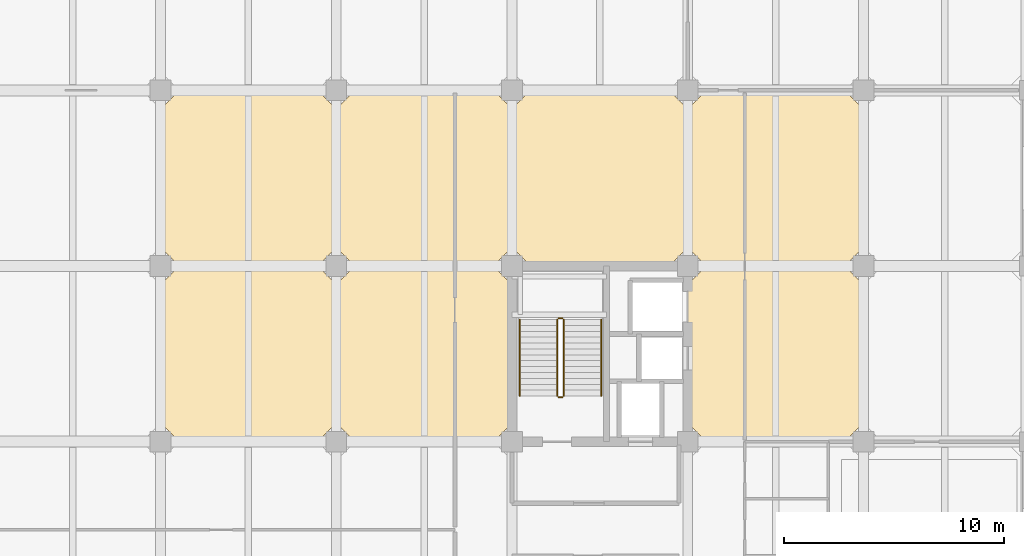
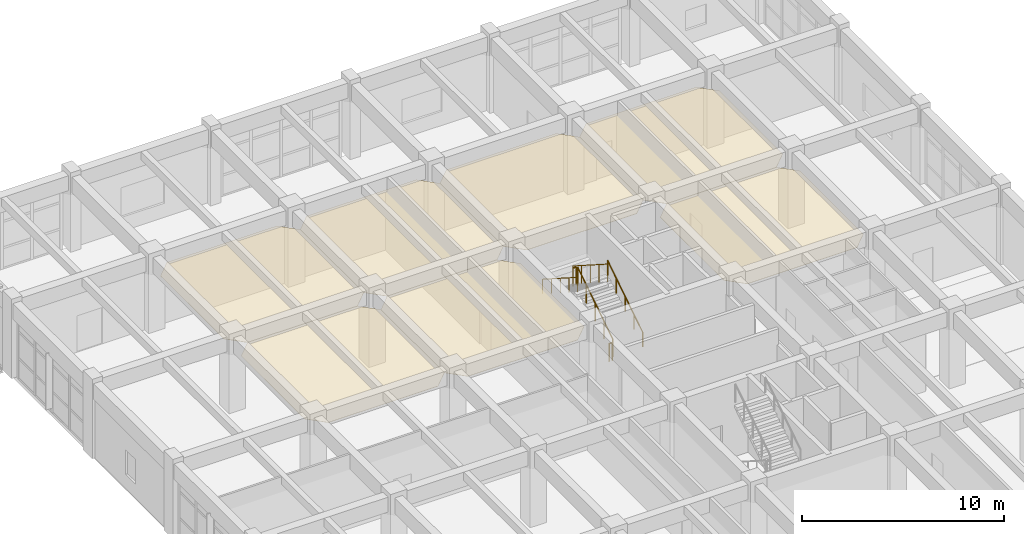
# One storey, part 247 of 248: 7 coverings, 6 railings.
"""IFC4 building model written with IfcOpenShell, lengths in metres."""

from ifc_helpers import new_model, si_unit, direction, frame, origin, origin_2d, place, context, subcontext, project, spatial, polyline, circle, outline, extrude, material, layer, layer_set, type_object, element, save


model = new_model("IFC4")

# Units and contexts
model_context = context("Model", 3, precision=1e-05, world=origin(), true_north=direction((0.0, 1.0)))
body_context = subcontext(model_context, "Body", "Model", "MODEL_VIEW")
ifc_project = project(units=[si_unit("LENGTHUNIT", "METRE"), si_unit("AREAUNIT", "SQUARE_METRE"), si_unit("VOLUMEUNIT", "CUBIC_METRE"), si_unit("PLANEANGLEUNIT", "RADIAN"), si_unit("MASSUNIT", "GRAM", prefix="KILO")], contexts=[model_context])

# Site, building, storey
site_placement = place(None, origin())
site = spatial("IfcSite", under=ifc_project, at=site_placement, CompositionType="ELEMENT")
building_placement = place(site_placement, origin())
building = spatial("IfcBuilding", under=site, at=building_placement, Name="Canggui Botanical Conservatory", CompositionType="ELEMENT")
storey_placement = place(building_placement, frame((0.0, 0.0, 5.39990234375)))
storey = spatial("IfcBuildingStorey", under=building, at=storey_placement, Name="L02", CompositionType="ELEMENT", Elevation=5.39990234375)

# Coverings
ifc_material_1 = material(Name="Mineral Fibre Acoustic Board")
ifc_layer_1 = layer(ifc_material_1, 0.014892578125, Name="Mineral Fibre Acoustic Board")
ifc_layer_set_1 = layer_set([ifc_layer_1], Name="Mineral Fibre Acoustic Board")
covering_type_1 = type_object("IfcCoveringType", Name="COV-CEIL-15", PredefinedType="CEILING", material=ifc_layer_set_1)
covering_1_placement = place(storey_placement, frame((0.0, 0.0, 3.55517578125)))
element("IfcCovering", 1, at=covering_1_placement, inside=storey, type_object=covering_type_1, Name="Suspended Acoustic Ceiling L02-138-58", PredefinedType="CEILING", context=body_context, shape_type="SweptSolid", body=[
    extrude(outline(polyline([(138.85009765625, 58.0), (145.14990234375, 58.0), (146.0, 58.85009765625), (146.0, 65.14990234375), (145.14990234375, 66.0), (138.85009765625, 66.0), (138.0, 65.14990234375), (138.0, 58.85009765625), (138.85009765625, 58.0)])), origin(), (0.0, 0.0, 1.0), 0.014892578125),
])
covering_2_placement = place(storey_placement, frame((0.0, 0.0, 3.55517578125)))
element("IfcCovering", 2, at=covering_2_placement, inside=storey, type_object=covering_type_1, Name="Suspended Acoustic Ceiling L02-146-66", PredefinedType="CEILING", context=body_context, shape_type="SweptSolid", body=[
    extrude(outline(polyline([(146.85009765625, 66.0), (153.14990234375, 66.0), (154.0, 66.85009765625), (154.0, 73.14990234375), (153.14990234375, 74.0), (146.85009765625, 74.0), (146.0, 73.14990234375), (146.0, 66.85009765625), (146.85009765625, 66.0)])), origin(), (0.0, 0.0, 1.0), 0.014892578125),
])
covering_3_placement = place(storey_placement, frame((0.0, 0.0, 3.55517578125)))
element("IfcCovering", 3, at=covering_3_placement, inside=storey, type_object=covering_type_1, Name="Suspended Acoustic Ceiling L02-162-66", PredefinedType="CEILING", context=body_context, shape_type="SweptSolid", body=[
    extrude(outline(polyline([(162.85009765625, 66.0), (169.14990234375, 66.0), (170.0, 66.85009765625), (170.0, 73.14990234375), (169.14990234375, 74.0), (162.85009765625, 74.0), (162.0, 73.14990234375), (162.0, 66.85009765625), (162.85009765625, 66.0)])), origin(), (0.0, 0.0, 1.0), 0.014892578125),
])
ifc_material_2 = material(Name="Perforated Gypsum Acoustic Panel")
ifc_layer_2 = layer(ifc_material_2, 0.02001953125, Name="Perforated Gypsum Acoustic Panel")
ifc_layer_set_2 = layer_set([ifc_layer_2], Name="Perforated Gypsum Acoustic Panel")
covering_type_2 = type_object("IfcCoveringType", Name="COV-CEIL-20", PredefinedType="CEILING", material=ifc_layer_set_2)
covering_4_placement = place(storey_placement, frame((0.0, 0.0, 3.550048828125)))
element("IfcCovering", 4, at=covering_4_placement, inside=storey, type_object=covering_type_2, Name="Suspended Acoustic Ceiling L02-138-66", PredefinedType="CEILING", context=body_context, shape_type="SweptSolid", body=[
    extrude(outline(polyline([(138.85009765625, 66.0), (145.14990234375, 66.0), (146.0, 66.85009765625), (146.0, 73.14990234375), (145.14990234375, 74.0), (138.85009765625, 74.0), (138.0, 73.14990234375), (138.0, 66.85009765625), (138.85009765625, 66.0)])), origin(), (0.0, 0.0, 1.0), 0.02001953125),
])
covering_5_placement = place(storey_placement, frame((0.0, 0.0, 3.550048828125)))
element("IfcCovering", 5, at=covering_5_placement, inside=storey, type_object=covering_type_2, Name="Suspended Acoustic Ceiling L02-146-58", PredefinedType="CEILING", context=body_context, shape_type="SweptSolid", body=[
    extrude(outline(polyline([(146.85009765625, 58.0), (153.14990234375, 58.0), (154.0, 58.85009765625), (154.0, 65.14990234375), (153.14990234375, 66.0), (146.85009765625, 66.0), (146.0, 65.14990234375), (146.0, 58.85009765625), (146.85009765625, 58.0)])), origin(), (0.0, 0.0, 1.0), 0.02001953125),
])
covering_6_placement = place(storey_placement, frame((0.0, 0.0, 3.550048828125)))
element("IfcCovering", 6, at=covering_6_placement, inside=storey, type_object=covering_type_2, Name="Suspended Acoustic Ceiling L02-154-66", PredefinedType="CEILING", context=body_context, shape_type="SweptSolid", body=[
    extrude(outline(polyline([(154.85009765625, 66.0), (161.14990234375, 66.0), (162.0, 66.85009765625), (162.0, 73.14990234375), (161.14990234375, 74.0), (154.85009765625, 74.0), (154.0, 73.14990234375), (154.0, 66.85009765625), (154.85009765625, 66.0)])), origin(), (0.0, 0.0, 1.0), 0.02001953125),
])
covering_7_placement = place(storey_placement, frame((0.0, 0.0, 3.550048828125)))
element("IfcCovering", 7, at=covering_7_placement, inside=storey, type_object=covering_type_2, Name="Suspended Acoustic Ceiling L02-162-58", PredefinedType="CEILING", context=body_context, shape_type="SweptSolid", body=[
    extrude(outline(polyline([(162.85009765625, 58.0), (169.14990234375, 58.0), (170.0, 58.85009765625), (170.0, 65.14990234375), (169.14990234375, 66.0), (162.85009765625, 66.0), (162.0, 65.14990234375), (162.0, 58.85009765625), (162.85009765625, 58.0)])), origin(), (0.0, 0.0, 1.0), 0.02001953125),
])

# Railings
ifc_material_3 = material(Name="Stainless Steel 304", Category="steel")
railing_type_1 = type_object("IfcRailingType", Name="RAIL-GUARD-1100", PredefinedType="BALUSTRADE", material=ifc_material_3)
railing_1_placement = place(storey_placement, frame((156.35009765625, 60.080078125, 0.171630859375)))
element("IfcRailing", 8, at=railing_1_placement, inside=storey, type_object=railing_type_1, Name="L02 ST-T2 stair guard 1", PredefinedType="BALUSTRADE", context=body_context, shape_type="SweptSolid", body=[
    extrude(circle(Radius=0.02392578125, at=origin_2d()), frame((0.0, 0.0, 1.076171875), z_axis=(0.0, 0.842400029615, 0.53885266085), x_axis=(-1.0, 0.0, 0.0)), (0.0, 0.0, 1.0), 4.1357421875),
    extrude(circle(Radius=0.02099609375, at=origin_2d()), origin(), (0.0, 0.0, 1.0), 1.052001953125),
    extrude(circle(Radius=0.02099609375, at=origin_2d()), frame((0.0, 0.87109375, 0.55712890625)), (0.0, 0.0, 1.0), 1.052001953125),
    extrude(circle(Radius=0.02099609375, at=origin_2d()), frame((0.0, 1.741943359375, 1.1142578125)), (0.0, 0.0, 1.0), 1.052001953125),
    extrude(circle(Radius=0.02099609375, at=origin_2d()), frame((0.0, 2.61279296875, 1.67138671875)), (0.0, 0.0, 1.0), 1.052001953125),
    extrude(circle(Radius=0.02099609375, at=origin_2d()), frame((0.0, 3.48388671875, 2.228515625)), (0.0, 0.0, 1.0), 1.052001953125),
])
railing_2_placement = place(storey_placement, frame((156.300048828125, 63.614013671875, 2.400146484375)))
element("IfcRailing", 9, at=railing_2_placement, inside=storey, type_object=railing_type_1, Name="L02 ST-T2 stair guard 2", PredefinedType="BALUSTRADE", context=body_context, shape_type="SweptSolid", body=[
    extrude(circle(Radius=0.02392578125, at=origin_2d()), frame((0.0, 0.0, 1.076171875), z_axis=(-1.0, 0.0, 0.0), x_axis=(0.0, -1.0, 0.0)), (0.0, 0.0, 1.0), 0.179931640625),
    extrude(circle(Radius=0.02099609375, at=origin_2d()), origin(), (0.0, 0.0, 1.0), 1.052001953125),
    extrude(circle(Radius=0.02099609375, at=origin_2d()), frame((-0.179931640625, 0.0, 0.0)), (0.0, 0.0, 1.0), 1.052001953125),
])
railing_3_placement = place(storey_placement, frame((156.070068359375, 63.56396484375, 2.571533203125)))
element("IfcRailing", 10, at=railing_3_placement, inside=storey, type_object=railing_type_1, Name="L02 ST-T2 stair guard 3", PredefinedType="BALUSTRADE", context=body_context, shape_type="SweptSolid", body=[
    extrude(circle(Radius=0.02392578125, at=origin_2d()), frame((0.0, 0.0, 1.076171875), z_axis=(0.0, -0.842400029615, 0.53885266085), x_axis=(1.0, 0.0, 0.0)), (0.0, 0.0, 1.0), 4.1357421875),
    extrude(circle(Radius=0.02099609375, at=origin_2d()), origin(), (0.0, 0.0, 1.0), 1.052001953125),
    extrude(circle(Radius=0.02099609375, at=origin_2d()), frame((0.0, -0.87109375, 0.55712890625)), (0.0, 0.0, 1.0), 1.052001953125),
    extrude(circle(Radius=0.02099609375, at=origin_2d()), frame((0.0, -1.741943359375, 1.1142578125)), (0.0, 0.0, 1.0), 1.052001953125),
    extrude(circle(Radius=0.02099609375, at=origin_2d()), frame((0.0, -2.61279296875, 1.67138671875)), (0.0, 0.0, 1.0), 1.052001953125),
    extrude(circle(Radius=0.02099609375, at=origin_2d()), frame((0.0, -3.48388671875, 2.228515625)), (0.0, 0.0, 1.0), 1.052001953125),
])
railing_4_placement = place(storey_placement, frame((156.300048828125, 60.030029296875, 0.0)))
element("IfcRailing", 11, at=railing_4_placement, inside=storey, type_object=railing_type_1, Name="L02 ST-T2 stair guard 4", PredefinedType="BALUSTRADE", context=body_context, shape_type="SweptSolid", body=[
    extrude(circle(Radius=0.02392578125, at=origin_2d()), frame((0.0, 0.0, 1.076171875), z_axis=(-1.0, 0.0, 0.0), x_axis=(0.0, -1.0, 0.0)), (0.0, 0.0, 1.0), 0.179931640625),
    extrude(circle(Radius=0.02099609375, at=origin_2d()), origin(), (0.0, 0.0, 1.0), 1.052001953125),
    extrude(circle(Radius=0.02099609375, at=origin_2d()), frame((-0.179931640625, 0.0, 0.0)), (0.0, 0.0, 1.0), 1.052001953125),
])
railing_type_2 = type_object("IfcRailingType", Name="RAIL-HAND-900", PredefinedType="HANDRAIL", material=ifc_material_3)
railing_5_placement = place(storey_placement, frame((158.070068359375, 60.080078125, 0.171630859375)))
element("IfcRailing", 12, at=railing_5_placement, inside=storey, type_object=railing_type_2, Name="L02 ST-T2 stair handrail 1", PredefinedType="HANDRAIL", context=body_context, shape_type="SweptSolid", body=[
    extrude(circle(Radius=0.02392578125, at=origin_2d()), frame((0.0, 0.0, 0.8759765625), z_axis=(0.0, 0.842400029615, 0.53885266085), x_axis=(-1.0, 0.0, 0.0)), (0.0, 0.0, 1.0), 4.1357421875),
    extrude(circle(Radius=0.02099609375, at=origin_2d()), origin(), (0.0, 0.0, 1.0), 0.851806640625),
    extrude(circle(Radius=0.02099609375, at=origin_2d()), frame((0.0, 0.87109375, 0.55712890625)), (0.0, 0.0, 1.0), 0.851806640625),
    extrude(circle(Radius=0.02099609375, at=origin_2d()), frame((0.0, 1.741943359375, 1.1142578125)), (0.0, 0.0, 1.0), 0.851806640625),
    extrude(circle(Radius=0.02099609375, at=origin_2d()), frame((0.0, 2.61279296875, 1.67138671875)), (0.0, 0.0, 1.0), 0.851806640625),
    extrude(circle(Radius=0.02099609375, at=origin_2d()), frame((0.0, 3.48388671875, 2.228515625)), (0.0, 0.0, 1.0), 0.851806640625),
])
railing_6_placement = place(storey_placement, frame((154.35009765625, 63.56396484375, 2.571533203125)))
element("IfcRailing", 13, at=railing_6_placement, inside=storey, type_object=railing_type_2, Name="L02 ST-T2 stair handrail 2", PredefinedType="HANDRAIL", context=body_context, shape_type="SweptSolid", body=[
    extrude(circle(Radius=0.02392578125, at=origin_2d()), frame((0.0, 0.0, 0.8759765625), z_axis=(0.0, -0.842400029615, 0.53885266085), x_axis=(1.0, 0.0, 0.0)), (0.0, 0.0, 1.0), 4.1357421875),
    extrude(circle(Radius=0.02099609375, at=origin_2d()), origin(), (0.0, 0.0, 1.0), 0.851806640625),
    extrude(circle(Radius=0.02099609375, at=origin_2d()), frame((0.0, -0.87109375, 0.55712890625)), (0.0, 0.0, 1.0), 0.851806640625),
    extrude(circle(Radius=0.02099609375, at=origin_2d()), frame((0.0, -1.741943359375, 1.1142578125)), (0.0, 0.0, 1.0), 0.851806640625),
    extrude(circle(Radius=0.02099609375, at=origin_2d()), frame((0.0, -2.61279296875, 1.67138671875)), (0.0, 0.0, 1.0), 0.851806640625),
    extrude(circle(Radius=0.02099609375, at=origin_2d()), frame((0.0, -3.48388671875, 2.228515625)), (0.0, 0.0, 1.0), 0.851806640625),
])

save(model, "model.ifc")
